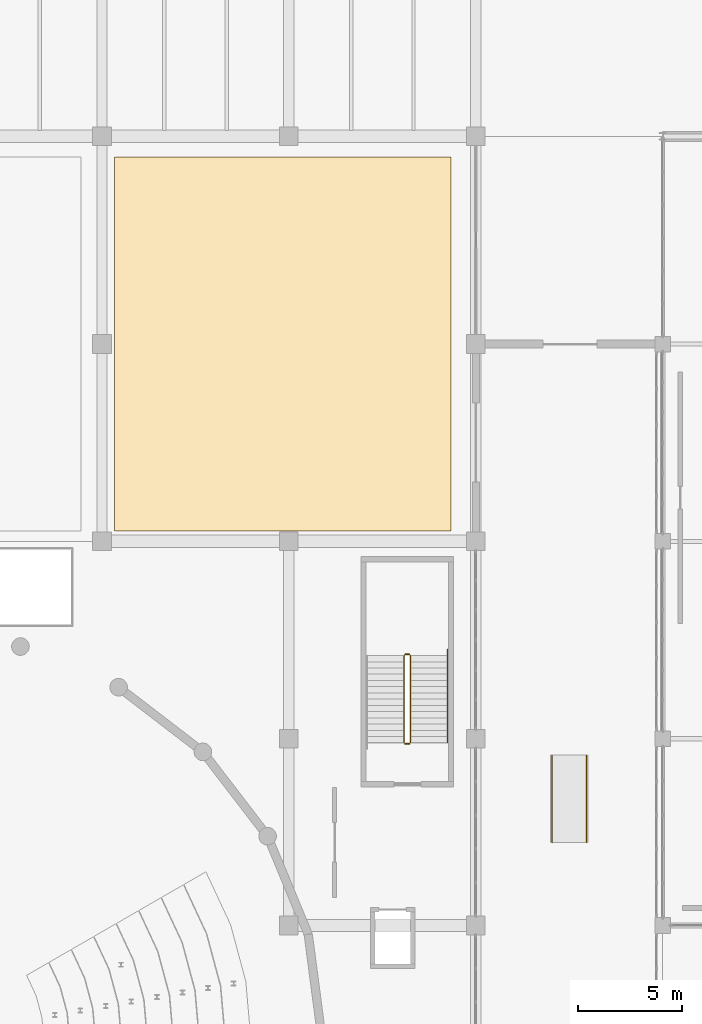
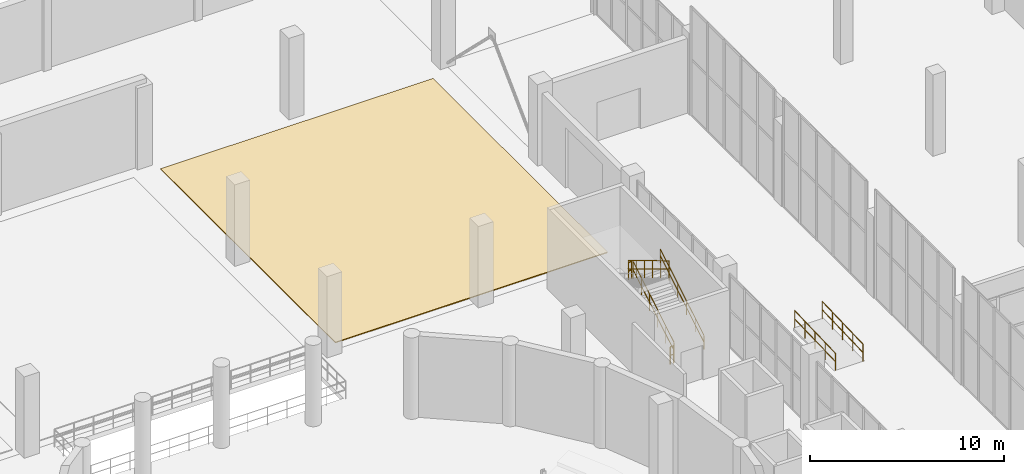
# One storey, part 100 of 103: 7 railings, 1 covering.
"""IFC4 building model written with IfcOpenShell, lengths in metres."""

from ifc_helpers import new_model, si_unit, direction, frame, origin, origin_2d, place, context, subcontext, project, spatial, polyline, circle, outline, extrude, material, layer, layer_set, type_object, element, save


model = new_model("IFC4")

# Units and contexts
model_context = context("Model", 3, precision=1e-05, world=origin(), true_north=direction((0.0, 1.0)))
body_context = subcontext(model_context, "Body", "Model", "MODEL_VIEW")
ifc_project = project(units=[si_unit("LENGTHUNIT", "METRE"), si_unit("AREAUNIT", "SQUARE_METRE"), si_unit("VOLUMEUNIT", "CUBIC_METRE"), si_unit("PLANEANGLEUNIT", "RADIAN"), si_unit("MASSUNIT", "GRAM", prefix="KILO")], contexts=[model_context])

# Site, building, storey
site_placement = place(None, origin())
site = spatial("IfcSite", under=ifc_project, at=site_placement, CompositionType="ELEMENT")
building_placement = place(site_placement, origin())
building = spatial("IfcBuilding", under=site, at=building_placement, Name="Marnock Terrace Opera House", CompositionType="ELEMENT")
storey_placement = place(building_placement, origin())
storey = spatial("IfcBuildingStorey", under=building, at=storey_placement, Name="L00", CompositionType="ELEMENT", Elevation=0.0)

# Covering
ifc_material_1 = material(Name="Sprung Douglas-fir stage floor deck")
ifc_layer = layer(ifc_material_1, 0.054931640625)
ifc_layer_set = layer_set([ifc_layer], Name="Sprung Douglas-fir stage floor deck")
covering_type = type_object("IfcCoveringType", Name="COV-FLR-STAGE", PredefinedType="FLOORING", material=ifc_layer_set)
covering_placement = place(storey_placement, origin())
element("IfcCovering", 1, at=covering_placement, inside=storey, type_object=covering_type, Name="L00 finished flooring FLR-SIDESTAGE-E", PredefinedType="FLOORING", context=body_context, shape_type="SweptSolid", body=[
    extrude(outline(polyline([(91.60009765625, 85.0), (107.800048828125, 85.0), (107.800048828125, 103.0), (91.60009765625, 103.0), (91.60009765625, 85.0)])), origin(), (0.0, 0.0, 1.0), 0.054931640625),
])

# Railings
ifc_material_2 = material(Name="Architectural bronze balustrade")
railing_type_1 = type_object("IfcRailingType", Name="RL-GUARD-1100", PredefinedType="GUARDRAIL", material=ifc_material_2)
railing_1_placement = place(storey_placement, frame((105.85009765625, 74.800048828125, 0.179931640625)))
element("IfcRailing", 2, at=railing_1_placement, inside=storey, type_object=railing_type_1, Name="L00 ST-04 stair guard 1", PredefinedType="GUARDRAIL", context=body_context, shape_type="SweptSolid", body=[
    extrude(circle(Radius=0.02392578125, at=origin_2d()), frame((0.0, 0.0, 1.076171875), z_axis=(0.0, 0.857488527567, 0.514503085598), x_axis=(-1.0, 0.0, 0.0)), (0.0, 0.0, 1.0), 4.89794921875),
    extrude(circle(Radius=0.02392578125, at=origin_2d()), frame((0.0, 0.0, 0.550048828125), z_axis=(0.0, 0.857488527567, 0.514503085598), x_axis=(-1.0, 0.0, 0.0)), (0.0, 0.0, 1.0), 4.89794921875),
    extrude(circle(Radius=0.02099609375, at=origin_2d()), origin(), (0.0, 0.0, 1.0), 1.052001953125),
    extrude(circle(Radius=0.02099609375, at=origin_2d()), frame((0.0, 0.840087890625, 0.50390625)), (0.0, 0.0, 1.0), 1.052001953125),
    extrude(circle(Radius=0.02099609375, at=origin_2d()), frame((0.0, 1.679931640625, 1.008056640625)), (0.0, 0.0, 1.0), 1.052001953125),
    extrude(circle(Radius=0.02099609375, at=origin_2d()), frame((0.0, 2.52001953125, 1.511962890625)), (0.0, 0.0, 1.0), 1.052001953125),
    extrude(circle(Radius=0.02099609375, at=origin_2d()), frame((0.0, 3.35986328125, 2.01611328125)), (0.0, 0.0, 1.0), 1.052001953125),
    extrude(circle(Radius=0.02099609375, at=origin_2d()), frame((0.0, 4.199951171875, 2.52001953125)), (0.0, 0.0, 1.0), 1.052001953125),
])
railing_2_placement = place(storey_placement, frame((105.800048828125, 79.050048828125, 2.699951171875)))
element("IfcRailing", 3, at=railing_2_placement, inside=storey, type_object=railing_type_1, Name="L00 ST-04 stair guard 2", PredefinedType="GUARDRAIL", context=body_context, shape_type="SweptSolid", body=[
    extrude(circle(Radius=0.02392578125, at=origin_2d()), frame((0.0, 0.0, 1.076171875), z_axis=(-1.0, 0.0, 0.0), x_axis=(0.0, -1.0, 0.0)), (0.0, 0.0, 1.0), 0.199951171875),
    extrude(circle(Radius=0.02392578125, at=origin_2d()), frame((0.0, 0.0, 0.550048828125), z_axis=(-1.0, 0.0, 0.0), x_axis=(0.0, -1.0, 0.0)), (0.0, 0.0, 1.0), 0.199951171875),
    extrude(circle(Radius=0.02099609375, at=origin_2d()), origin(), (0.0, 0.0, 1.0), 1.052001953125),
    extrude(circle(Radius=0.02099609375, at=origin_2d()), frame((-0.199951171875, 0.0, 0.0)), (0.0, 0.0, 1.0), 1.052001953125),
])
railing_3_placement = place(storey_placement, frame((105.550048828125, 79.0, 2.8798828125)))
element("IfcRailing", 4, at=railing_3_placement, inside=storey, type_object=railing_type_1, Name="L00 ST-04 stair guard 3", PredefinedType="GUARDRAIL", context=body_context, shape_type="SweptSolid", body=[
    extrude(circle(Radius=0.02392578125, at=origin_2d()), frame((0.0, 0.0, 1.076171875), z_axis=(0.0, -0.857488527567, 0.514503085598), x_axis=(1.0, 0.0, 0.0)), (0.0, 0.0, 1.0), 4.89794921875),
    extrude(circle(Radius=0.02392578125, at=origin_2d()), frame((0.0, 0.0, 0.550048828125), z_axis=(0.0, -0.857488527567, 0.514503085598), x_axis=(1.0, 0.0, 0.0)), (0.0, 0.0, 1.0), 4.89794921875),
    extrude(circle(Radius=0.02099609375, at=origin_2d()), origin(), (0.0, 0.0, 1.0), 1.052001953125),
    extrude(circle(Radius=0.02099609375, at=origin_2d()), frame((0.0, -0.840087890625, 0.50390625)), (0.0, 0.0, 1.0), 1.052001953125),
    extrude(circle(Radius=0.02099609375, at=origin_2d()), frame((0.0, -1.679931640625, 1.008056640625)), (0.0, 0.0, 1.0), 1.052001953125),
    extrude(circle(Radius=0.02099609375, at=origin_2d()), frame((0.0, -2.52001953125, 1.511962890625)), (0.0, 0.0, 1.0), 1.052001953125),
    extrude(circle(Radius=0.02099609375, at=origin_2d()), frame((0.0, -3.35986328125, 2.01611328125)), (0.0, 0.0, 1.0), 1.052001953125),
    extrude(circle(Radius=0.02099609375, at=origin_2d()), frame((0.0, -4.199951171875, 2.52001953125)), (0.0, 0.0, 1.0), 1.052001953125),
])
railing_4_placement = place(storey_placement, frame((105.800048828125, 74.75, 0.0)))
element("IfcRailing", 5, at=railing_4_placement, inside=storey, type_object=railing_type_1, Name="L00 ST-04 stair guard 4", PredefinedType="GUARDRAIL", context=body_context, shape_type="SweptSolid", body=[
    extrude(circle(Radius=0.02392578125, at=origin_2d()), frame((0.0, 0.0, 1.076171875), z_axis=(-1.0, 0.0, 0.0), x_axis=(0.0, -1.0, 0.0)), (0.0, 0.0, 1.0), 0.199951171875),
    extrude(circle(Radius=0.02392578125, at=origin_2d()), frame((0.0, 0.0, 0.550048828125), z_axis=(-1.0, 0.0, 0.0), x_axis=(0.0, -1.0, 0.0)), (0.0, 0.0, 1.0), 0.199951171875),
    extrude(circle(Radius=0.02099609375, at=origin_2d()), origin(), (0.0, 0.0, 1.0), 1.052001953125),
    extrude(circle(Radius=0.02099609375, at=origin_2d()), frame((-0.199951171875, 0.0, 0.0)), (0.0, 0.0, 1.0), 1.052001953125),
])
for number, where, name in (
    (6, (112.679931640625, 70.0, 0.0), "RMP-PASS-03 bilateral accessible handrail L"),
    (7, (114.320068359375, 70.0, 0.0), "RMP-PASS-03 bilateral accessible handrail R"),
):
    element("IfcRailing", number, at=place(storey_placement, frame(where)), inside=storey, type_object=railing_type_1, Name=name, PredefinedType="GUARDRAIL", context=body_context, shape_type="SweptSolid", body=[
        extrude(circle(Radius=0.02392578125, at=origin_2d()), frame((0.0, 0.0, 1.076171875), z_axis=(0.0, 0.999445744913, 0.03328968272), x_axis=(-1.0, 0.0, 0.0)), (0.0, 0.0, 1.0), 4.202392578125),
        extrude(circle(Radius=0.02392578125, at=origin_2d()), frame((0.0, 0.0, 0.550048828125), z_axis=(0.0, 0.999445744913, 0.03328968272), x_axis=(-1.0, 0.0, 0.0)), (0.0, 0.0, 1.0), 4.202392578125),
        extrude(circle(Radius=0.02099609375, at=origin_2d()), origin(), (0.0, 0.0, 1.0), 1.052001953125),
        extrude(circle(Radius=0.02099609375, at=origin_2d()), frame((0.0, 1.050048828125, 0.034912109375)), (0.0, 0.0, 1.0), 1.052001953125),
        extrude(circle(Radius=0.02099609375, at=origin_2d()), frame((0.0, 2.10009765625, 0.06982421875)), (0.0, 0.0, 1.0), 1.052001953125),
        extrude(circle(Radius=0.02099609375, at=origin_2d()), frame((0.0, 3.14990234375, 0.10498046875)), (0.0, 0.0, 1.0), 1.052001953125),
        extrude(circle(Radius=0.02099609375, at=origin_2d()), frame((0.0, 4.199951171875, 0.139892578125)), (0.0, 0.0, 1.0), 1.052001953125),
    ])
railing_type_2 = type_object("IfcRailingType", Name="RL-HAND-900", PredefinedType="HANDRAIL", material=ifc_material_2)
railing_5_placement = place(storey_placement, frame((107.6298828125, 74.800048828125, 0.19189453125)))
element("IfcRailing", 8, at=railing_5_placement, inside=storey, type_object=railing_type_2, Name="L00 ST-04 stair handrail 1", PredefinedType="HANDRAIL", context=body_context, shape_type="SweptSolid", body=[
    extrude(circle(Radius=0.02392578125, at=origin_2d()), frame((0.0, 0.0, 0.8759765625), z_axis=(0.0, 0.857476506072, 0.514523120505), x_axis=(-1.0, 0.0, 0.0)), (0.0, 0.0, 1.0), 5.248046875),
    extrude(circle(Radius=0.02392578125, at=origin_2d()), frame((0.0, 0.0, 0.449951171875), z_axis=(0.0, 0.857476506072, 0.514523120505), x_axis=(-1.0, 0.0, 0.0)), (0.0, 0.0, 1.0), 5.248046875),
    extrude(circle(Radius=0.02099609375, at=origin_2d()), origin(), (0.0, 0.0, 1.0), 0.851806640625),
    extrude(circle(Radius=0.02099609375, at=origin_2d()), frame((0.0, 0.89990234375, 0.5400390625)), (0.0, 0.0, 1.0), 0.851806640625),
    extrude(circle(Radius=0.02099609375, at=origin_2d()), frame((0.0, 1.800048828125, 1.080078125)), (0.0, 0.0, 1.0), 0.851806640625),
    extrude(circle(Radius=0.02099609375, at=origin_2d()), frame((0.0, 2.699951171875, 1.6201171875)), (0.0, 0.0, 1.0), 0.851806640625),
    extrude(circle(Radius=0.02099609375, at=origin_2d()), frame((0.0, 3.60009765625, 2.16015625)), (0.0, 0.0, 1.0), 0.851806640625),
    extrude(circle(Radius=0.02099609375, at=origin_2d()), frame((0.0, 4.5, 2.7001953125)), (0.0, 0.0, 1.0), 0.851806640625),
])

save(model, "model.ifc")
